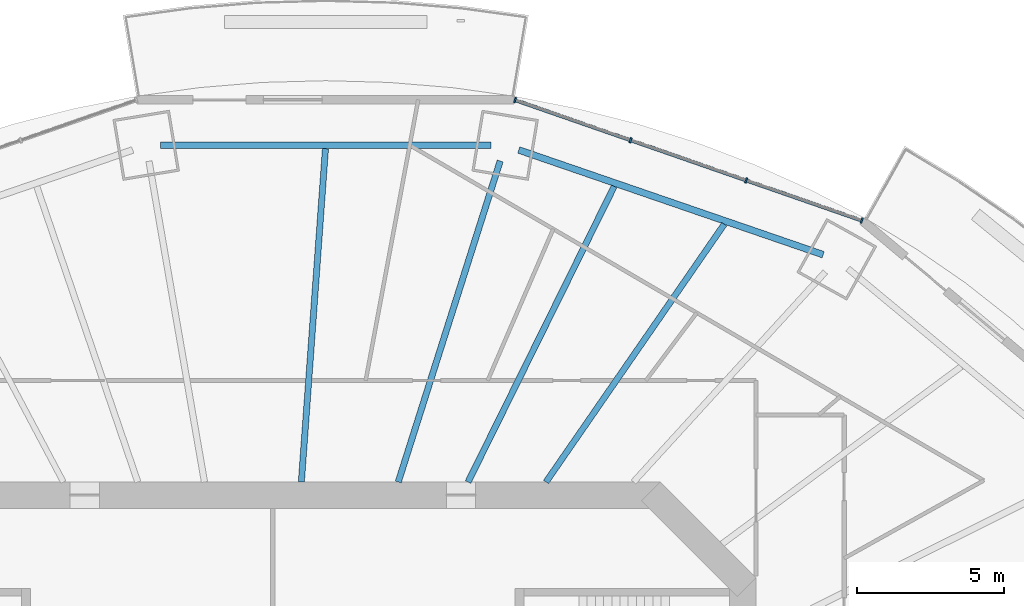
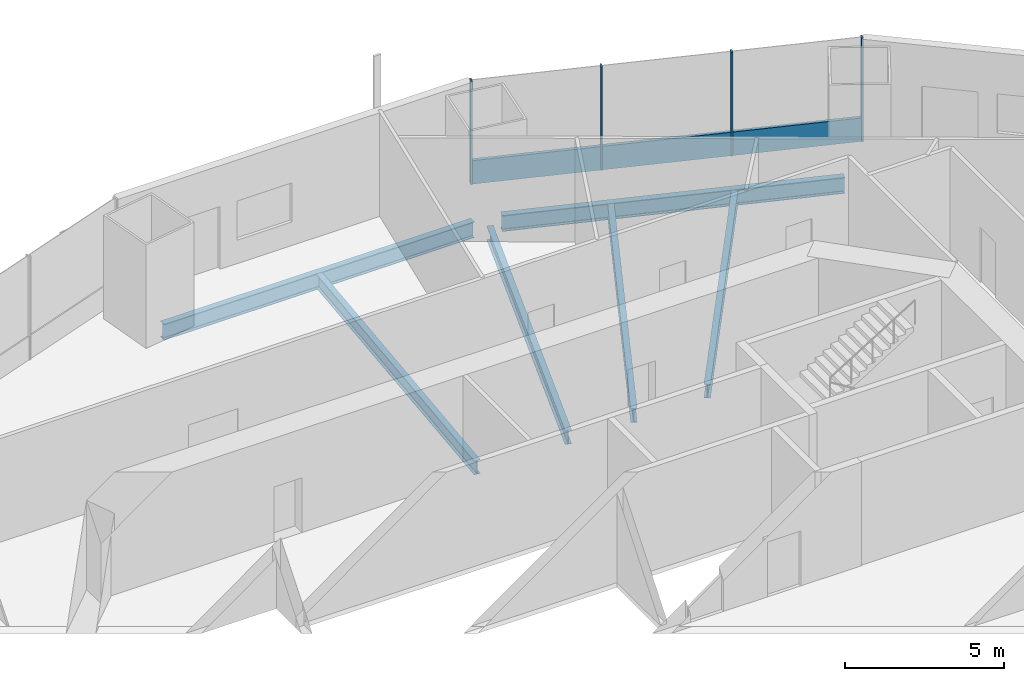
# One storey, part 9 of 21: 6 beams, 5 members, 1 element without a shape of its own.
"""IFC4 building model written with IfcOpenShell, lengths in metres."""

import ifcopenshell
import ifcopenshell.guid

model = None  # the IFC model being written
_history = None  # IfcOwnerHistory: only IFC2X3 demands one
_inside = {}  # id of a spatial element -> (the spatial element, [elements in it])
_under = {}  # id of a project, library or spatial element -> (it, [spatial elements below it])
_declared = {}  # id of a project -> (the project, [libraries it declares])
_typed = {}  # id of a type object -> (the type object, [elements of that type])
_made_of = {}  # id of a material, layer set ... -> (it, [elements and type objects made of it])


def new_model(schema):
    """Start an empty IFC model of exactly this schema.

    Asked for "IFC4X3", IfcOpenShell would pick the latest addendum, in which some entities
    have other attributes; the version numbers below select the first issue.
    IFC2X3 requires an IfcOwnerHistory on every rooted entity: one is made here for all.
    """
    global model, _history
    if schema == "IFC4X3":
        model = ifcopenshell.file(schema_version=(4, 3, 0, 0))
    else:
        model = ifcopenshell.file(schema=schema)
    _inside.clear()
    _under.clear()
    _declared.clear()
    _typed.clear()
    _made_of.clear()
    _history = None
    if model.schema == "IFC2X3":
        org = make("IfcOrganization", Name="unknown")
        user = make(
            "IfcPersonAndOrganization",
            ThePerson=make("IfcPerson", FamilyName="unknown"),
            TheOrganization=org,
        )
        app = make(
            "IfcApplication",
            ApplicationDeveloper=org,
            Version="unknown",
            ApplicationFullName="unknown",
            ApplicationIdentifier="unknown",
        )
        _history = make(
            "IfcOwnerHistory",
            OwningUser=user,
            OwningApplication=app,
            ChangeAction="ADDED",
            CreationDate=0,
        )
    return model


def make(cls, **values):
    """One entity of the class cls with the attributes given. An attribute that is None is left unset."""
    return model.create_entity(
        cls, **{name: value for name, value in values.items() if value is not None}
    )


def rooted(cls, **values):
    """An entity with a GlobalId (a new one), such as an element, a storey or a relation."""
    return make(cls, GlobalId=ifcopenshell.guid.new(), OwnerHistory=_history, **values)


def si_unit(unit_type, name, prefix=None):
    """IfcSIUnit, for example si_unit("LENGTHUNIT", "METRE", prefix="MILLI")."""
    return make("IfcSIUnit", UnitType=unit_type, Prefix=prefix, Name=name)


def assignment(units):
    """IfcUnitAssignment: the units of a project."""
    return None if units is None else make("IfcUnitAssignment", Units=units)


def point(xyz):
    """IfcCartesianPoint."""
    return None if xyz is None else make("IfcCartesianPoint", Coordinates=xyz)


def direction(xyz):
    """IfcDirection."""
    return None if xyz is None else make("IfcDirection", DirectionRatios=xyz)


def frame(location, z_axis=None, x_axis=None):
    """IfcAxis2Placement3D, a coordinate frame: its origin and axes. An axis left out is left unset."""
    return make(
        "IfcAxis2Placement3D",
        Location=point(location),
        Axis=direction(z_axis),
        RefDirection=direction(x_axis),
    )


def frame_2d(location, x_axis=None):
    """IfcAxis2Placement2D, a coordinate frame in the plane: its origin and x axis."""
    return make(
        "IfcAxis2Placement2D", Location=point(location), RefDirection=direction(x_axis)
    )


def origin():
    """The frame at (0, 0, 0) with its axes left unset."""
    return frame((0.0, 0.0, 0.0))


def origin_2d():
    """The frame at (0, 0) in the plane with its x axis left unset."""
    return frame_2d((0.0, 0.0))


def place(relative_to, where):
    """IfcLocalPlacement: puts the frame where relative to a parent placement (None: the world)."""
    return make(
        "IfcLocalPlacement", PlacementRelTo=relative_to, RelativePlacement=where
    )


def context(
    kind, dimensions, precision=None, world=None, true_north=None, identifier=None
):
    """IfcGeometricRepresentationContext, for example the 3D "Model" context."""
    return make(
        "IfcGeometricRepresentationContext",
        ContextIdentifier=identifier,
        ContextType=kind,
        CoordinateSpaceDimension=dimensions,
        Precision=precision,
        WorldCoordinateSystem=world,
        TrueNorth=true_north,
    )


def subcontext(parent, identifier, kind, view, scale=None):
    """IfcGeometricRepresentationSubContext, for example "Body" below "Model"."""
    return make(
        "IfcGeometricRepresentationSubContext",
        ContextIdentifier=identifier,
        ContextType=kind,
        ParentContext=parent,
        TargetScale=scale,
        TargetView=view,
    )


def project(units=None, contexts=None):
    """IfcProject with its units and contexts."""
    return rooted(
        "IfcProject",
        Name="project",
        RepresentationContexts=contexts,
        UnitsInContext=assignment(units),
    )


def spatial(cls, under=None, at=None, **own):
    """A site, building, storey or space (cls), placed at a placement, below another one or the project."""
    s = rooted(cls, ObjectPlacement=at, **own)
    if under is not None:
        _under.setdefault(under.id(), (under, []))[1].append(s)
    return s


def profile(cls, at=None, kind="AREA", **sizes):
    """A parametric profile (cls). Its sizes go by their IFC names, for example OverallWidth=200.0."""
    return make(cls, ProfileType=kind, Position=at, **sizes)


def rectangle(**sizes):
    """IfcRectangleProfileDef."""
    return profile("IfcRectangleProfileDef", **sizes)


def i_section(**sizes):
    """IfcIShapeProfileDef."""
    return profile("IfcIShapeProfileDef", **sizes)


def extrude(swept, where, along, depth):
    """IfcExtrudedAreaSolid: the profile swept, set in the frame where, extruded along a direction by depth."""
    return make(
        "IfcExtrudedAreaSolid",
        SweptArea=swept,
        Position=where,
        ExtrudedDirection=direction(along),
        Depth=depth,
    )


def shape(context_of_items, identifier, shape_type, items):
    """IfcShapeRepresentation: the items that make up one representation, for example the "Body"."""
    return make(
        "IfcShapeRepresentation",
        ContextOfItems=context_of_items,
        RepresentationIdentifier=identifier,
        RepresentationType=shape_type,
        Items=items,
    )


def material(Name=None, Category=None):
    """IfcMaterial."""
    return make("IfcMaterial", Name=Name, Category=Category)


def material_profile(
    of_material, cross_section, Name=None, Category=None, Priority=None
):
    """IfcMaterialProfile: a cross section and its material."""
    return make(
        "IfcMaterialProfile",
        Name=Name,
        Material=of_material,
        Profile=cross_section,
        Priority=Priority,
        Category=Category,
    )


def profile_set(profiles, Name=None, composite=None):
    """IfcMaterialProfileSet."""
    return make(
        "IfcMaterialProfileSet",
        Name=Name,
        MaterialProfiles=profiles,
        CompositeProfile=composite,
    )


def made_of(thing, what):
    """Note that an element or type object is made of a material, layer set ...; save() writes the relation."""
    if what is not None:
        _made_of.setdefault(what.id(), (what, []))[1].append(thing)
    return thing


def type_object(cls, material=None, **own):
    """A type object (cls), such as IfcWallType, which elements share."""
    return made_of(rooted(cls, **own), material)


def element(
    cls,
    number,
    at=None,
    inside=None,
    cuts=None,
    type_object=None,
    material=None,
    context=None,
    identifier="Body",
    shape_type=None,
    held_by="IfcProductDefinitionShape",
    body=None,
    shapes=None,
    **own,
):
    """One element of the class cls, such as IfcWall. Its Tag is "e" and its number.

    at: its placement. inside: the storey or other place that contains it. cuts: it is an
    opening in that element (IfcRelVoidsElement). A single representation is given by context,
    identifier, shape_type and body (its items); several are given by shapes. held_by: the class
    of the entity that holds the representations. save() writes the other relations.
    """
    e = rooted(cls, Tag="e%d" % number, ObjectPlacement=at, **own)
    if body is not None:
        shapes = [shape(context, identifier, shape_type, body)]
    if shapes is not None:
        e.Representation = make(held_by, Representations=shapes)
    if inside is not None:
        _inside.setdefault(inside.id(), (inside, []))[1].append(e)
    if cuts is not None:
        rooted(
            "IfcRelVoidsElement", RelatingBuildingElement=cuts, RelatedOpeningElement=e
        )
    if type_object is not None:
        _typed.setdefault(type_object.id(), (type_object, []))[1].append(e)
    return made_of(e, material)


def aggregate(whole, parts):
    """IfcRelAggregates: a whole, such as a stair, and the parts it consists of."""
    return rooted("IfcRelAggregates", RelatingObject=whole, RelatedObjects=parts)


def save(model, path):
    """Write the relations noted so far, then the file.

    IfcRelAggregates (storeys below a building ...), IfcRelContainedInSpatialStructure (elements
    in a storey), IfcRelDefinesByType, IfcRelAssociatesMaterial and IfcRelDeclares: one each for
    every whole, place, type object, material and project.
    """
    for whole, parts in _under.values():
        aggregate(whole, parts)
    for where, things in _inside.values():
        rooted(
            "IfcRelContainedInSpatialStructure",
            RelatedElements=things,
            RelatingStructure=where,
        )
    for kind, things in _typed.values():
        rooted("IfcRelDefinesByType", RelatedObjects=things, RelatingType=kind)
    for what, things in _made_of.values():
        rooted("IfcRelAssociatesMaterial", RelatedObjects=things, RelatingMaterial=what)
    for by, libraries in _declared.values():
        rooted("IfcRelDeclares", RelatingContext=by, RelatedDefinitions=libraries)
    model.write(path)


model = new_model("IFC4")

# Units and contexts
model_context = context("Model", 3, precision=1e-05, world=origin(), true_north=direction((0.0, 1.0)))
body_context = subcontext(model_context, "Body", "Model", "MODEL_VIEW")
ifc_project = project(units=[si_unit("LENGTHUNIT", "METRE"), si_unit("AREAUNIT", "SQUARE_METRE"), si_unit("VOLUMEUNIT", "CUBIC_METRE"), si_unit("PLANEANGLEUNIT", "RADIAN"), si_unit("MASSUNIT", "GRAM", prefix="KILO")], contexts=[model_context])

# Site, building, storey
site_placement = place(None, origin())
site = spatial("IfcSite", under=ifc_project, at=site_placement, CompositionType="ELEMENT")
building_placement = place(site_placement, origin())
building = spatial("IfcBuilding", under=site, at=building_placement, Name="Marenthal Gate Tower", CompositionType="ELEMENT")
storey_placement = place(building_placement, frame((0.0, 0.0, 165.199951171875)))
storey = spatial("IfcBuildingStorey", under=building, at=storey_placement, Name="L35", CompositionType="ELEMENT", Elevation=165.199951171875)

# Curtain wall, members
ifc_material_1 = material(Name="Aluminium and glass", Category="aluminium")
curtain_wall_type = type_object("IfcCurtainWallType", Name="Curtain wall typical mid", PredefinedType="NOTDEFINED", material=ifc_material_1)
curtain_wall_placement = place(storey_placement, origin())
curtain_wall = element("IfcCurtainWall", 1, at=curtain_wall_placement, inside=storey, type_object=curtain_wall_type, Name="Curtain wall L35 bay 3", PredefinedType="NOTDEFINED")
ifc_material_2 = material(Name="Aluminium", Category="aluminium")
ifc_material_profile_1 = material_profile(ifc_material_2, rectangle(XDim=0.179931640625, YDim=0.06005859375, at=origin_2d()), Name="60x180 aluminium mullion")
ifc_profile_set_1 = profile_set([ifc_material_profile_1], Name="Aluminium")
member_type_1 = type_object("IfcMemberType", Name="Mullion 60x180 typical mid", PredefinedType="MULLION", material=ifc_profile_set_1)
member_1_placement = place(storey_placement, frame((20.04931640625, 22.351806640625, 0.0), z_axis=(0.0, 0.0, 1.0), x_axis=(-0.328157600538, -0.944622987868, 0.0)))
member_1 = element("IfcMember", 2, at=member_1_placement, type_object=member_type_1, Name="Mullion L35 bay 3.1", PredefinedType="MULLION", context=body_context, shape_type="SweptSolid", body=[
    extrude(rectangle(XDim=0.179931640625, YDim=0.06005859375, at=origin_2d()), origin(), (0.0, 0.0, 1.0), 3.969970703125),
])
member_2_placement = place(storey_placement, frame((16.114990234375, 23.718505859375, 0.0), z_axis=(0.0, 0.0, 1.0), x_axis=(-0.328157600538, -0.944622987868, 0.0)))
member_2 = element("IfcMember", 3, at=member_2_placement, type_object=member_type_1, Name="Mullion L35 bay 3.2", PredefinedType="MULLION", context=body_context, shape_type="SweptSolid", body=[
    extrude(rectangle(XDim=0.179931640625, YDim=0.06005859375, at=origin_2d()), origin(), (0.0, 0.0, 1.0), 3.969970703125),
])
member_3_placement = place(storey_placement, frame((12.180908203125, 25.085205078125, 0.0), z_axis=(0.0, 0.0, 1.0), x_axis=(-0.328157600538, -0.944622987868, 0.0)))
member_3 = element("IfcMember", 4, at=member_3_placement, type_object=member_type_1, Name="Mullion L35 bay 3.3", PredefinedType="MULLION", context=body_context, shape_type="SweptSolid", body=[
    extrude(rectangle(XDim=0.179931640625, YDim=0.06005859375, at=origin_2d()), origin(), (0.0, 0.0, 1.0), 3.969970703125),
])
member_4_placement = place(storey_placement, frame((8.24658203125, 26.451904296875, 0.0), z_axis=(0.0, 0.0, 1.0), x_axis=(-0.328157600538, -0.944622987868, 0.0)))
member_4 = element("IfcMember", 5, at=member_4_placement, type_object=member_type_1, Name="Mullion L35 bay 3.4", PredefinedType="MULLION", context=body_context, shape_type="SweptSolid", body=[
    extrude(rectangle(XDim=0.179931640625, YDim=0.06005859375, at=origin_2d()), origin(), (0.0, 0.0, 1.0), 3.969970703125),
])
ifc_material_3 = material(Name="Aluminium", Category="aluminium")
ifc_material_profile_2 = material_profile(ifc_material_3, rectangle(XDim=0.1201171875, YDim=0.89990234375, at=origin_2d()), Name="120x900 aluminium transom")
ifc_profile_set_2 = profile_set([ifc_material_profile_2], Name="Aluminium")
member_type_2 = type_object("IfcMemberType", Name="Transom 120x900 typical mid", PredefinedType="USERDEFINED", material=ifc_profile_set_2)
member_5_placement = place(storey_placement, frame((20.02099609375, 22.361572265625, 0.449951171875), z_axis=(-0.944622278222, 0.328159643295, 0.0), x_axis=(-0.328159643295, -0.944622278222, 0.0)))
member_5 = element("IfcMember", 6, at=member_5_placement, type_object=member_type_2, Name="Transom L35 bay 3", ObjectType="TRANSOM", PredefinedType="USERDEFINED", context=body_context, shape_type="SweptSolid", body=[
    extrude(rectangle(XDim=0.1201171875, YDim=0.89990234375, at=origin_2d()), origin(), (0.0, 0.0, 1.0), 12.434814453125),
])
aggregate(curtain_wall, [member_1, member_2, member_3, member_4, member_5])

# Beams
ifc_material_4 = material(Name="Steel S355", Category="steel")
ifc_material_profile_3 = material_profile(ifc_material_4, i_section(OverallWidth=0.2099609375, OverallDepth=0.535888671875, WebThickness=0.010986328125, FlangeThickness=0.017333984375, FilletRadius=0.0126953125, at=origin_2d()), Name="W530X101")
ifc_profile_set_3 = profile_set([ifc_material_profile_3], Name="Steel S355")
beam_type_1 = type_object("IfcBeamType", Name="W530X101 beam", PredefinedType="BEAM", material=ifc_profile_set_3)
beam_1_placement = place(storey_placement, frame((15.368896484375, 22.22509765625, -0.447998046875), z_axis=(-0.568767239586, -0.822498527156, 0.0), x_axis=(0.822498527156, -0.568767239586, 0.0)))
element("IfcBeam", 7, at=beam_1_placement, inside=storey, type_object=beam_type_1, Name="BM-L35-20", PredefinedType="BEAM", context=body_context, shape_type="SweptSolid", body=[
    extrude(i_section(OverallWidth=0.2099609375, OverallDepth=0.535888671875, WebThickness=0.010986328125, FlangeThickness=0.017333984375, FilletRadius=0.0126953125, at=origin_2d()), origin(), (0.0, 0.0, 1.0), 10.6689453125),
])
beam_2_placement = place(storey_placement, frame((11.622314453125, 23.51416015625, -0.447998046875), z_axis=(-0.44309433849, -0.896474989722, 0.0), x_axis=(0.896474989722, -0.44309433849, 0.0)))
element("IfcBeam", 8, at=beam_2_placement, inside=storey, type_object=beam_type_1, Name="BM-L35-21", PredefinedType="BEAM", context=body_context, shape_type="SweptSolid", body=[
    extrude(i_section(OverallWidth=0.2099609375, OverallDepth=0.535888671875, WebThickness=0.010986328125, FlangeThickness=0.017333984375, FilletRadius=0.0126953125, at=origin_2d()), origin(), (0.0, 0.0, 1.0), 11.226318359375),
])
beam_3_placement = place(storey_placement, frame((1.791748046875, 24.797607421875, -0.447998046875), z_axis=(-0.072079665045, -0.997398878026, 0.0), x_axis=(0.997398878026, -0.072079665045, 0.0)))
element("IfcBeam", 9, at=beam_3_placement, inside=storey, type_object=beam_type_1, Name="BM-L35-22", PredefinedType="BEAM", context=body_context, shape_type="SweptSolid", body=[
    extrude(i_section(OverallWidth=0.2099609375, OverallDepth=0.535888671875, WebThickness=0.010986328125, FlangeThickness=0.017333984375, FilletRadius=0.0126953125, at=origin_2d()), origin(), (0.0, 0.0, 1.0), 11.377197265625),
])
ifc_material_5 = material(Name="Steel S355", Category="steel")
ifc_material_profile_4 = material_profile(ifc_material_5, i_section(OverallWidth=0.2119140625, OverallDepth=0.5439453125, WebThickness=0.01318359375, FlangeThickness=0.021240234375, FilletRadius=0.0126953125, at=origin_2d()), Name="W530X123")
ifc_profile_set_4 = profile_set([ifc_material_profile_4], Name="Steel S355")
beam_type_2 = type_object("IfcBeamType", Name="W530X123 beam", PredefinedType="BEAM", material=ifc_profile_set_4)
beam_4_placement = place(storey_placement, frame((7.740234375, 24.377685546875, -0.451904296875), z_axis=(-0.302627032057, -0.953109059588, 0.0), x_axis=(0.953109059588, -0.302627032057, 0.0)))
element("IfcBeam", 10, at=beam_4_placement, inside=storey, type_object=beam_type_2, Name="BM-L35-04", PredefinedType="BEAM", context=body_context, shape_type="SweptSolid", body=[
    extrude(i_section(OverallWidth=0.2119140625, OverallDepth=0.5439453125, WebThickness=0.01318359375, FlangeThickness=0.021240234375, FilletRadius=0.0126953125, at=origin_2d()), origin(), (0.0, 0.0, 1.0), 11.46533203125),
])
ifc_material_6 = material(Name="Steel S355", Category="steel")
ifc_material_profile_5 = material_profile(ifc_material_6, i_section(OverallWidth=0.22900390625, OverallDepth=0.612060546875, WebThickness=0.011962890625, FlangeThickness=0.01953125, FilletRadius=0.0126953125, at=origin_2d()), Name="W610X125")
ifc_profile_set_5 = profile_set([ifc_material_profile_5], Name="Steel S355")
beam_type_3 = type_object("IfcBeamType", Name="W610X125 beam", PredefinedType="BEAM", material=ifc_profile_set_5)
beam_5_placement = place(storey_placement, frame((18.736328125, 21.1875, -0.48583984375), z_axis=(-0.945601181961, 0.32532814922, 0.0), x_axis=(-0.32532814922, -0.945601181961, 0.0)))
element("IfcBeam", 11, at=beam_5_placement, inside=storey, type_object=beam_type_3, Name="BM-L35-43", PredefinedType="BEAM", context=body_context, shape_type="SweptSolid", body=[
    extrude(i_section(OverallWidth=0.22900390625, OverallDepth=0.612060546875, WebThickness=0.011962890625, FlangeThickness=0.01953125, FilletRadius=0.0126953125, at=origin_2d()), origin(), (0.0, 0.0, 1.0), 10.960205078125),
])
beam_6_placement = place(storey_placement, frame((7.421875, 24.912109375, -0.48583984375), z_axis=(-1.0, 0.0, 0.0), x_axis=(0.0, -1.0, 0.0)))
element("IfcBeam", 12, at=beam_6_placement, inside=storey, type_object=beam_type_3, Name="BM-L35-44", PredefinedType="BEAM", context=body_context, shape_type="SweptSolid", body=[
    extrude(i_section(OverallWidth=0.22900390625, OverallDepth=0.612060546875, WebThickness=0.011962890625, FlangeThickness=0.01953125, FilletRadius=0.0126953125, at=origin_2d()), origin(), (0.0, 0.0, 1.0), 11.24365234375),
])

save(model, "model.ifc")
